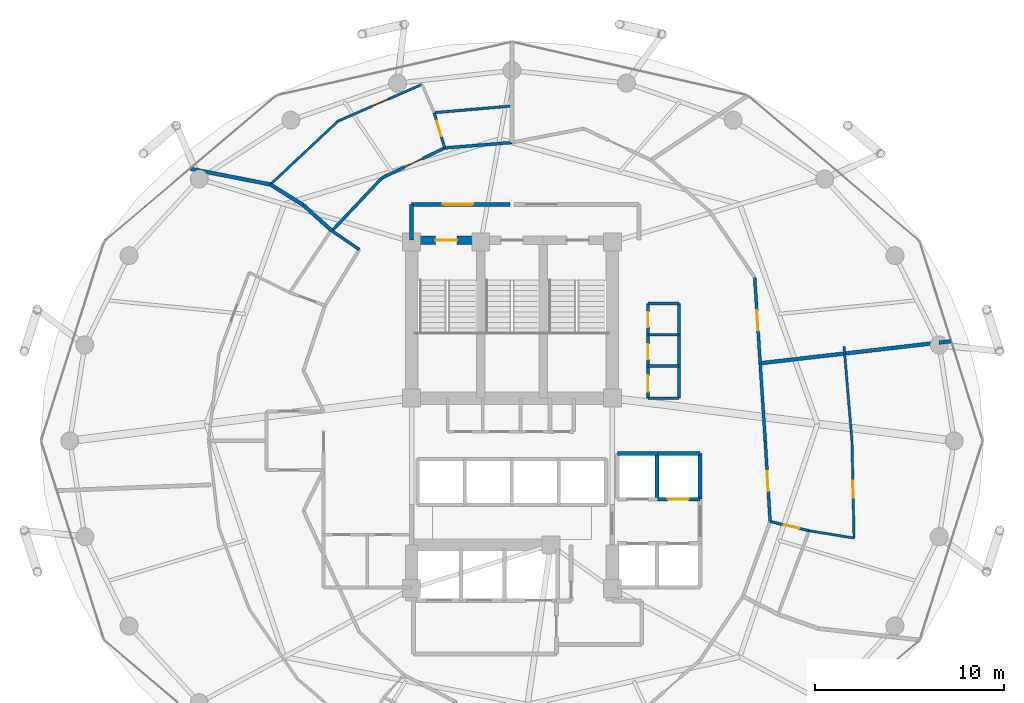
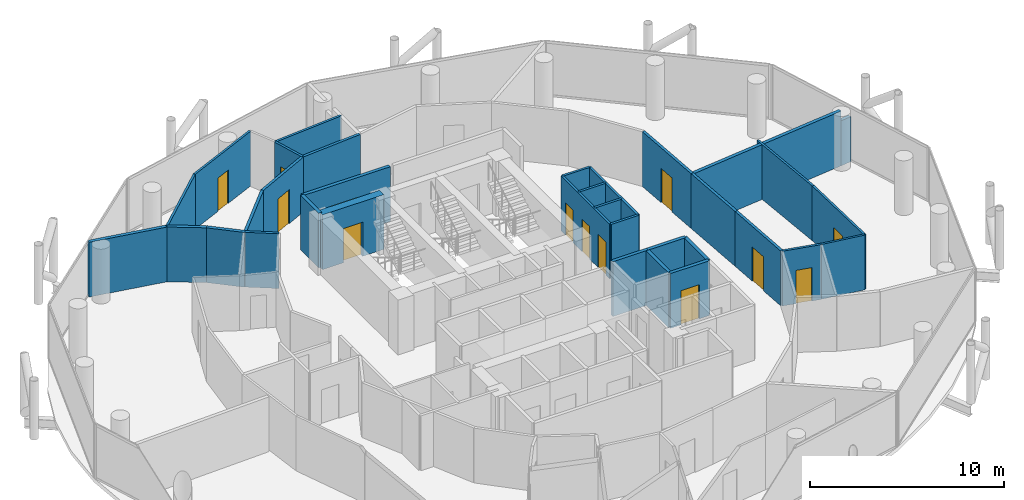
# One storey, part 24 of 26: 34 walls, 13 doors, 13 openings.
"""IFC4 building model written with IfcOpenShell, lengths in metres."""

from ifc_helpers import new_model, si_unit, direction, frame, frame_2d, origin, place, context, subcontext, project, spatial, rectangle, extrude, material, layer, layer_set, type_object, element, fill, save


model = new_model("IFC4")

# Units and contexts
model_context = context("Model", 3, precision=1e-05, world=origin(), true_north=direction((0.0, 1.0)))
body_context = subcontext(model_context, "Body", "Model", "MODEL_VIEW")
ifc_project = project(units=[si_unit("LENGTHUNIT", "METRE"), si_unit("AREAUNIT", "SQUARE_METRE"), si_unit("VOLUMEUNIT", "CUBIC_METRE"), si_unit("PLANEANGLEUNIT", "RADIAN"), si_unit("MASSUNIT", "GRAM", prefix="KILO")], contexts=[model_context])

# Site, building, storey
site_placement = place(None, origin())
site = spatial("IfcSite", under=ifc_project, at=site_placement, CompositionType="ELEMENT")
building_placement = place(site_placement, origin())
building = spatial("IfcBuilding", under=site, at=building_placement, Name="Nuhasar Tower", CompositionType="ELEMENT")
storey_placement = place(building_placement, frame((0.0, 0.0, 129.35009765625)))
storey = spatial("IfcBuildingStorey", under=building, at=storey_placement, Name="L30", CompositionType="ELEMENT", Elevation=129.35009765625)

# Wall, opening, door
ifc_material_1 = material(Name="Concrete C50/60", Category="concrete")
ifc_layer_1 = layer(ifc_material_1, 0.449951171875)
ifc_layer_set_1 = layer_set([ifc_layer_1], Name="Concrete C50/60")
wall_type_1 = type_object("IfcWallType", Name="WL-CORE-450", PredefinedType="SHEAR", material=ifc_layer_set_1)
wall_1_placement = place(storey_placement, frame((37.35009765625, 37.39990234375, 0.0), z_axis=(0.0, 0.0, 1.0), x_axis=(-1.0, 0.0, 0.0)))
wall_1 = element("IfcWall", 1, at=wall_1_placement, inside=storey, type_object=wall_type_1, Name="L30 Stairwell Shear Wall ST01-N", PredefinedType="SHEAR", context=body_context, shape_type="SweptSolid", body=[
    extrude(rectangle(XDim=3.650146484375, YDim=0.449951171875, at=frame_2d((1.8251953125, 0.0))), origin(), (0.0, 0.0, 1.0), 3.449951171875),
])
opening_1_placement = place(wall_1_placement, frame((1.25, 0.0, 0.0)))
opening_1 = element("IfcOpeningElement", 2, at=opening_1_placement, cuts=wall_1, Name="Opening DS-01", PredefinedType="OPENING", context=body_context, shape_type="SweptSolid", body=[
    extrude(rectangle(XDim=1.14990234375, YDim=2.14990234375, at=frame_2d((0.574951171875, 1.074951171875))), frame((0.0, 0.23486328125, 0.0), z_axis=(0.0, -1.0, 0.0), x_axis=(1.0, 0.0, 0.0)), (0.0, 0.0, 1.0), 0.469970703125),
])
ifc_material_2 = material(Name="Steel S355", Category="steel")
door_type_1 = type_object("IfcDoorType", Name="DR-STAIR-FD120-1150", OperationType="NOTDEFINED", PredefinedType="DOOR", material=ifc_material_2)
door_1_placement = place(opening_1_placement, origin())
door_1 = element("IfcDoor", 3, at=door_1_placement, inside=storey, type_object=door_type_1, Name="L30 Exit Stair ST-01 Door", OperationType="SINGLE_SWING_RIGHT", OverallHeight=2.14990234375, OverallWidth=1.14990234375, PredefinedType="DOOR", context=body_context, shape_type="SweptSolid", body=[
    extrude(rectangle(XDim=1.14990234375, YDim=2.14990234375, at=frame_2d((0.574951171875, 1.074951171875))), frame((0.0, 0.02490234375, 0.0), z_axis=(0.0, -1.0, 0.0), x_axis=(1.0, 0.0, 0.0)), (0.0, 0.0, 1.0), 0.050048828125),
])
fill(opening_1, door_1)

ifc_material_3 = material(Name="Gypsum Board", Category="gypsum")
ifc_layer_2 = layer(ifc_material_3, 0.159912109375)
ifc_layer_set_2 = layer_set([ifc_layer_2], Name="Gypsum Board")
wall_type_2 = type_object("IfcWallType", Name="WL-CORR-160", PredefinedType="PARTITIONING", material=ifc_layer_set_2)
wall_2_placement = place(storey_placement, frame((52.3701171875, 26.800048828125, 0.0), z_axis=(0.0, 0.0, 1.0), x_axis=(0.060208216468, -0.998185839746, 0.0)))
wall_2 = element("IfcWall", 4, at=wall_2_placement, inside=storey, type_object=wall_type_2, Name="L30 Interior Partition CORR-46", PredefinedType="PARTITIONING", context=body_context, shape_type="SweptSolid", body=[
    extrude(rectangle(XDim=4.265869140625, YDim=0.159912109375, at=frame_2d((2.1328125, 0.0))), origin(), (0.0, 0.0, 1.0), 3.449951171875),
])
opening_2_placement = place(wall_2_placement, frame((1.60791015625, 0.0, 0.0)))
opening_2 = element("IfcOpeningElement", 5, at=opening_2_placement, cuts=wall_2, Name="Opening DU-01", PredefinedType="OPENING", context=body_context, shape_type="SweptSolid", body=[
    extrude(rectangle(XDim=1.050048828125, YDim=2.14990234375, at=frame_2d((0.52490234375, 1.074951171875))), frame((0.0, 0.08984375, 0.0), z_axis=(0.0, -1.0, 0.0), x_axis=(1.0, 0.0, 0.0)), (0.0, 0.0, 1.0), 0.179931640625),
])
ifc_material_4 = material(Name="Timber Oak", Category="wood")
door_type_2 = type_object("IfcDoorType", Name="DR-SUITE-FD60-1050", OperationType="NOTDEFINED", PredefinedType="DOOR", material=ifc_material_4)
door_2_placement = place(opening_2_placement, origin())
door_2 = element("IfcDoor", 6, at=door_2_placement, inside=storey, type_object=door_type_2, Name="L30 Panorama Suite 02 Entrance Door", OperationType="SINGLE_SWING_RIGHT", OverallHeight=2.14990234375, OverallWidth=1.050048828125, PredefinedType="DOOR", context=body_context, shape_type="SweptSolid", body=[
    extrude(rectangle(XDim=1.050048828125, YDim=2.14990234375, at=frame_2d((0.52490234375, 1.074951171875))), frame((0.0, 0.02490234375, 0.0), z_axis=(0.0, -1.0, 0.0), x_axis=(1.0, 0.0, 0.0)), (0.0, 0.0, 1.0), 0.050048828125),
])
fill(opening_2, door_2)

# Wall
wall_3_placement = place(storey_placement, frame((52.3701171875, 26.800048828125, 0.0), z_axis=(0.0, 0.0, 1.0), x_axis=(-0.065101036033, 0.997878677549, 0.0)))
element("IfcWall", 7, at=wall_3_placement, inside=storey, type_object=wall_type_2, Name="L30 Interior Partition CORR-00", PredefinedType="PARTITIONING", context=body_context, shape_type="SweptSolid", body=[
    extrude(rectangle(XDim=4.102783203125, YDim=0.159912109375, at=frame_2d((2.05126953125, 0.0))), origin(), (0.0, 0.0, 1.0), 3.449951171875),
])

# Wall, opening, door
wall_4_placement = place(storey_placement, frame((51.81396484375, 35.427001953125, 0.0), z_axis=(0.0, 0.0, 1.0), x_axis=(0.063639788552, -0.997972934159, 0.0)))
wall_4 = element("IfcWall", 8, at=wall_4_placement, inside=storey, type_object=wall_type_2, Name="L30 Interior Partition CORR-02", PredefinedType="PARTITIONING", context=body_context, shape_type="SweptSolid", body=[
    extrude(rectangle(XDim=4.542236328125, YDim=0.159912109375, at=frame_2d((2.27099609375, 0.0))), origin(), (0.0, 0.0, 1.0), 3.449951171875),
])
opening_3_placement = place(wall_4_placement, frame((1.74609375, 0.0, 0.0)))
opening_3 = element("IfcOpeningElement", 9, at=opening_3_placement, cuts=wall_4, Name="Opening DU-01", PredefinedType="OPENING", context=body_context, shape_type="SweptSolid", body=[
    extrude(rectangle(XDim=1.050048828125, YDim=2.14990234375, at=frame_2d((0.52490234375, 1.074951171875))), frame((0.0, 0.08984375, 0.0), z_axis=(0.0, -1.0, 0.0), x_axis=(1.0, 0.0, 0.0)), (0.0, 0.0, 1.0), 0.179931640625),
])
door_3_placement = place(opening_3_placement, origin())
door_3 = element("IfcDoor", 10, at=door_3_placement, inside=storey, type_object=door_type_2, Name="L30 Sommelier Tea Lounge Entrance Door", OperationType="SINGLE_SWING_RIGHT", OverallHeight=2.14990234375, OverallWidth=1.050048828125, PredefinedType="DOOR", context=body_context, shape_type="SweptSolid", body=[
    extrude(rectangle(XDim=1.050048828125, YDim=2.14990234375, at=frame_2d((0.52490234375, 1.074951171875))), frame((0.0, 0.02490234375, 0.0), z_axis=(0.0, -1.0, 0.0), x_axis=(1.0, 0.0, 0.0)), (0.0, 0.0, 1.0), 0.050048828125),
])
fill(opening_3, door_3)

# Wall
wall_5_placement = place(storey_placement, frame((39.0, 42.550048828125, 0.0), z_axis=(0.0, 0.0, 1.0), x_axis=(-0.996706794078, -0.081089867669, 0.0)))
element("IfcWall", 11, at=wall_5_placement, inside=storey, type_object=wall_type_2, Name="L30 Interior Partition CORR-12", PredefinedType="PARTITIONING", context=body_context, shape_type="SweptSolid", body=[
    extrude(rectangle(XDim=3.564697265625, YDim=0.159912109375, at=frame_2d((1.7822265625, 0.0))), origin(), (0.0, 0.0, 1.0), 3.449951171875),
])

# Wall, opening, door
wall_6_placement = place(storey_placement, frame((32.12890625, 40.677001953125, 0.0), z_axis=(0.0, 0.0, 1.0), x_axis=(0.902445250627, 0.430804560817, 0.0)))
wall_6 = element("IfcWall", 12, at=wall_6_placement, inside=storey, type_object=wall_type_2, Name="L30 Interior Partition CORR-14", PredefinedType="PARTITIONING", context=body_context, shape_type="SweptSolid", body=[
    extrude(rectangle(XDim=3.6767578125, YDim=0.159912109375, at=frame_2d((1.83837890625, 0.0))), origin(), (0.0, 0.0, 1.0), 3.449951171875),
])
opening_4_placement = place(wall_6_placement, frame((1.31298828125, 0.0, 0.0)))
opening_4 = element("IfcOpeningElement", 13, at=opening_4_placement, cuts=wall_6, Name="Opening DU-01", PredefinedType="OPENING", context=body_context, shape_type="SweptSolid", body=[
    extrude(rectangle(XDim=1.050048828125, YDim=2.14990234375, at=frame_2d((0.52490234375, 1.074951171875))), frame((0.0, 0.08984375, 0.0), z_axis=(0.0, -1.0, 0.0), x_axis=(1.0, 0.0, 0.0)), (0.0, 0.0, 1.0), 0.179931640625),
])
door_4_placement = place(opening_4_placement, origin())
door_4 = element("IfcDoor", 14, at=door_4_placement, inside=storey, type_object=door_type_2, Name="L30 Corniche Suite 03 Entrance Door", OperationType="SINGLE_SWING_RIGHT", OverallHeight=2.14990234375, OverallWidth=1.050048828125, PredefinedType="DOOR", context=body_context, shape_type="SweptSolid", body=[
    extrude(rectangle(XDim=1.050048828125, YDim=2.14990234375, at=frame_2d((0.52490234375, 1.074951171875))), frame((0.0, 0.02490234375, 0.0), z_axis=(0.0, -1.0, 0.0), x_axis=(1.0, 0.0, 0.0)), (0.0, 0.0, 1.0), 0.050048828125),
])
fill(opening_4, door_4)

# Walls
wall_7_placement = place(storey_placement, frame((32.12890625, 40.677001953125, 0.0), z_axis=(0.0, 0.0, 1.0), x_axis=(-0.68619756668, -0.727415218072, 0.0)))
element("IfcWall", 15, at=wall_7_placement, inside=storey, type_object=wall_type_2, Name="L30 Interior Partition CORR-16", PredefinedType="PARTITIONING", context=body_context, shape_type="SweptSolid", body=[
    extrude(rectangle(XDim=3.838134765625, YDim=0.159912109375, at=frame_2d((1.9189453125, 0.0))), origin(), (0.0, 0.0, 1.0), 3.449951171875),
])
wall_8_placement = place(storey_placement, frame((30.93896484375, 36.89697265625, 0.0), z_axis=(0.0, 0.0, 1.0), x_axis=(-0.825269608573, 0.564738942491, 0.0)))
element("IfcWall", 16, at=wall_8_placement, inside=storey, type_object=wall_type_2, Name="L30 Interior Partition HRAD-18-IN", PredefinedType="PARTITIONING", context=body_context, shape_type="SweptSolid", body=[
    extrude(rectangle(XDim=1.74951171875, YDim=0.159912109375, at=frame_2d((0.874755859375, 0.0))), origin(), (0.0, 0.0, 1.0), 3.449951171875),
])
ifc_material_5 = material(Name="Concrete C45/55", Category="concrete")
ifc_layer_3 = layer(ifc_material_5, 0.199951171875)
ifc_layer_set_3 = layer_set([ifc_layer_3], Name="Concrete C45/55")
wall_type_3 = type_object("IfcWallType", Name="WL-LOBBY-200", PredefinedType="SOLIDWALL", material=ifc_layer_set_3)
wall_9_placement = place(storey_placement, frame((33.699951171875, 37.39990234375, 0.0), z_axis=(0.0, 0.0, 1.0), x_axis=(0.0, 1.0, 0.0)))
element("IfcWall", 17, at=wall_9_placement, inside=storey, type_object=wall_type_3, Name="L30 Interior Partition NSL-W", PredefinedType="SOLIDWALL", context=body_context, shape_type="SweptSolid", body=[
    extrude(rectangle(XDim=1.880126953125, YDim=0.199951171875, at=frame_2d((0.93994140625, 0.0))), origin(), (0.0, 0.0, 1.0), 3.449951171875),
])

# Wall, opening, door
wall_10_placement = place(storey_placement, frame((38.89990234375, 39.280029296875, 0.0), z_axis=(0.0, 0.0, 1.0), x_axis=(-1.0, 0.0, 0.0)))
wall_10 = element("IfcWall", 18, at=wall_10_placement, inside=storey, type_object=wall_type_3, Name="L30 Interior Partition NSL-N1", PredefinedType="SOLIDWALL", context=body_context, shape_type="SweptSolid", body=[
    extrude(rectangle(XDim=5.199951171875, YDim=0.199951171875, at=frame_2d((2.60009765625, 0.0))), origin(), (0.0, 0.0, 1.0), 3.449951171875),
])
opening_5_placement = place(wall_10_placement, frame((1.949951171875, 0.0, 0.0)))
opening_5 = element("IfcOpeningElement", 19, at=opening_5_placement, cuts=wall_10, Name="Opening DC-01", PredefinedType="OPENING", context=body_context, shape_type="SweptSolid", body=[
    extrude(rectangle(XDim=1.60009765625, YDim=2.199951171875, at=frame_2d((0.800048828125, 1.10009765625))), frame((0.0, 0.10986328125, 0.0), z_axis=(0.0, -1.0, 0.0), x_axis=(1.0, 0.0, 0.0)), (0.0, 0.0, 1.0), 0.219970703125),
])
door_type_3 = type_object("IfcDoorType", Name="DR-CORR-FD60-1600", OperationType="DOUBLE_DOOR_SINGLE_SWING", PredefinedType="DOOR", material=ifc_material_2)
door_5_placement = place(opening_5_placement, origin())
door_5 = element("IfcDoor", 20, at=door_5_placement, inside=storey, type_object=door_type_3, Name="L30 North Stair Lobby West Door", OperationType="DOUBLE_DOOR_SINGLE_SWING", OverallHeight=2.199951171875, OverallWidth=1.60009765625, PredefinedType="DOOR", context=body_context, shape_type="SweptSolid", body=[
    extrude(rectangle(XDim=1.60009765625, YDim=2.199951171875, at=frame_2d((0.800048828125, 1.10009765625))), frame((0.0, 0.02490234375, 0.0), z_axis=(0.0, -1.0, 0.0), x_axis=(1.0, 0.0, 0.0)), (0.0, 0.0, 1.0), 0.050048828125),
])
fill(opening_5, door_5)

# Wall
ifc_layer_4 = layer(ifc_material_3, 0.125)
ifc_layer_set_4 = layer_set([ifc_layer_4], Name="Gypsum Board")
wall_type_4 = type_object("IfcWallType", Name="WL-PART-125", PredefinedType="PARTITIONING", material=ifc_layer_set_4)
wall_11_placement = place(storey_placement, frame((54.68701171875, 22.051025390625, 0.0), z_axis=(0.0, 0.0, 1.0), x_axis=(0.987082473446, -0.160212953955, 0.0)))
element("IfcWall", 21, at=wall_11_placement, inside=storey, type_object=wall_type_4, Name="L30 Interior Partition HBS-03", PredefinedType="PARTITIONING", context=body_context, shape_type="SweptSolid", body=[
    extrude(rectangle(XDim=2.403076171875, YDim=0.125, at=frame_2d((1.20166015625, 0.0))), origin(), (0.0, 0.0, 1.0), 3.449951171875),
])

# Wall, opening, door
wall_12_placement = place(storey_placement, frame((56.949951171875, 26.800048828125, 0.0), z_axis=(0.0, 0.0, 1.0), x_axis=(0.02125155973, -0.999774160103, 0.0)))
wall_12 = element("IfcWall", 22, at=wall_12_placement, inside=storey, type_object=wall_type_4, Name="L30 Interior Partition HSAL-03-46", PredefinedType="PARTITIONING", context=body_context, shape_type="SweptSolid", body=[
    extrude(rectangle(XDim=5.13525390625, YDim=0.125, at=frame_2d((2.567626953125, 0.0))), origin(), (0.0, 0.0, 1.0), 3.449951171875),
])
opening_6_placement = place(wall_12_placement, frame((2.117919921875, 0.0, 0.0)))
opening_6 = element("IfcOpeningElement", 23, at=opening_6_placement, cuts=wall_12, Name="Opening DR-01", PredefinedType="OPENING", context=body_context, shape_type="SweptSolid", body=[
    extrude(rectangle(XDim=0.89990234375, YDim=2.10009765625, at=frame_2d((0.449951171875, 1.050048828125))), frame((0.0, 0.072509765625, 0.0), z_axis=(0.0, -1.0, 0.0), x_axis=(1.0, 0.0, 0.0)), (0.0, 0.0, 1.0), 0.14501953125),
])
door_type_4 = type_object("IfcDoorType", Name="DR-ROOM-900", OperationType="NOTDEFINED", PredefinedType="DOOR", material=ifc_material_4)
door_6_placement = place(opening_6_placement, origin())
door_6 = element("IfcDoor", 24, at=door_6_placement, inside=storey, type_object=door_type_4, Name="L30 Panorama Suite 02 Bedroom Door", OperationType="SINGLE_SWING_RIGHT", OverallHeight=2.10009765625, OverallWidth=0.89990234375, PredefinedType="DOOR", context=body_context, shape_type="SweptSolid", body=[
    extrude(rectangle(XDim=0.89990234375, YDim=2.10009765625, at=frame_2d((0.449951171875, 1.050048828125))), frame((0.0, 0.02490234375, 0.0), z_axis=(0.0, -1.0, 0.0), x_axis=(1.0, 0.0, 0.0)), (0.0, 0.0, 1.0), 0.050048828125),
])
fill(opening_6, door_6)

# Wall
wall_13_placement = place(storey_placement, frame((56.949951171875, 26.800048828125, 0.0), z_axis=(0.0, 0.0, 1.0), x_axis=(-0.083958417044, 0.996469259038, 0.0)))
element("IfcWall", 25, at=wall_13_placement, inside=storey, type_object=wall_type_4, Name="L30 Interior Partition HSAL-03-00", PredefinedType="PARTITIONING", context=body_context, shape_type="SweptSolid", body=[
    extrude(rectangle(XDim=5.00146484375, YDim=0.125, at=frame_2d((2.500732421875, 0.0))), origin(), (0.0, 0.0, 1.0), 3.449951171875),
])

# Wall, opening, door
wall_14_placement = place(storey_placement, frame((29.81494140625, 43.678955078125, 0.0), z_axis=(0.0, 0.0, 1.0), x_axis=(0.916122593443, 0.400898233699, 0.0)))
wall_14 = element("IfcWall", 26, at=wall_14_placement, inside=storey, type_object=wall_type_4, Name="L30 Interior Partition HSAL-06-14", PredefinedType="PARTITIONING", context=body_context, shape_type="SweptSolid", body=[
    extrude(rectangle(XDim=4.8388671875, YDim=0.125, at=frame_2d((2.41943359375, 0.0))), origin(), (0.0, 0.0, 1.0), 3.449951171875),
])
opening_7_placement = place(wall_14_placement, frame((1.968994140625, 0.0, 0.0)))
opening_7 = element("IfcOpeningElement", 27, at=opening_7_placement, cuts=wall_14, Name="Opening DR-01", PredefinedType="OPENING", context=body_context, shape_type="SweptSolid", body=[
    extrude(rectangle(XDim=0.89990234375, YDim=2.10009765625, at=frame_2d((0.449951171875, 1.050048828125))), frame((0.0, 0.072509765625, 0.0), z_axis=(0.0, -1.0, 0.0), x_axis=(1.0, 0.0, 0.0)), (0.0, 0.0, 1.0), 0.14501953125),
])
door_7_placement = place(opening_7_placement, origin())
door_7 = element("IfcDoor", 28, at=door_7_placement, inside=storey, type_object=door_type_4, Name="L30 Corniche Suite 03 Bedroom Door", OperationType="SINGLE_SWING_RIGHT", OverallHeight=2.10009765625, OverallWidth=0.89990234375, PredefinedType="DOOR", context=body_context, shape_type="SweptSolid", body=[
    extrude(rectangle(XDim=0.89990234375, YDim=2.10009765625, at=frame_2d((0.449951171875, 1.050048828125))), frame((0.0, 0.02490234375, 0.0), z_axis=(0.0, -1.0, 0.0), x_axis=(1.0, 0.0, 0.0)), (0.0, 0.0, 1.0), 0.050048828125),
])
fill(opening_7, door_7)

# Walls
wall_15_placement = place(storey_placement, frame((29.81494140625, 43.678955078125, 0.0), z_axis=(0.0, 0.0, 1.0), x_axis=(-0.729831223249, -0.683627373333, 0.0)))
element("IfcWall", 29, at=wall_15_placement, inside=storey, type_object=wall_type_4, Name="L30 Interior Partition HSAL-06-16", PredefinedType="PARTITIONING", context=body_context, shape_type="SweptSolid", body=[
    extrude(rectangle(XDim=4.89306640625, YDim=0.125, at=frame_2d((2.446533203125, 0.0))), origin(), (0.0, 0.0, 1.0), 3.449951171875),
])
ifc_layer_5 = layer(ifc_material_5, 0.199951171875)
ifc_layer_set_5 = layer_set([ifc_layer_5], Name="Concrete C45/55")
wall_type_5 = type_object("IfcWallType", Name="WL-SHAFT-200", PredefinedType="SOLIDWALL", material=ifc_layer_set_5)
wall_16_placement = place(storey_placement, frame((44.570068359375, 26.1298828125, 0.0), z_axis=(0.0, 0.0, 1.0), x_axis=(1.0, 0.0, 0.0)))
element("IfcWall", 30, at=wall_16_placement, inside=storey, type_object=wall_type_5, Name="L30 Interior Partition SHF-PL-M01-N", PredefinedType="SOLIDWALL", context=body_context, shape_type="SweptSolid", body=[
    extrude(rectangle(XDim=2.10986328125, YDim=0.199951171875, at=frame_2d((1.054931640625, 0.0))), origin(), (0.0, 0.0, 1.0), 3.449951171875),
])
wall_17_placement = place(storey_placement, frame((46.64990234375, 23.719970703125, 0.0), z_axis=(0.0, 0.0, 1.0), x_axis=(0.0, 1.0, 0.0)))
element("IfcWall", 31, at=wall_17_placement, inside=storey, type_object=wall_type_5, Name="L30 Interior Partition SHF-PL-M01-E", PredefinedType="SOLIDWALL", context=body_context, shape_type="SweptSolid", body=[
    extrude(rectangle(XDim=2.409912109375, YDim=0.199951171875, at=frame_2d((1.205078125, 0.0))), origin(), (0.0, 0.0, 1.0), 3.449951171875),
])

# Wall, opening, door
wall_18_placement = place(storey_placement, frame((46.6201171875, 23.719970703125, 0.0), z_axis=(0.0, 0.0, 1.0), x_axis=(1.0, 0.0, 0.0)))
wall_18 = element("IfcWall", 32, at=wall_18_placement, inside=storey, type_object=wall_type_5, Name="L30 Interior Partition SHF-PL-M02-S", PredefinedType="SOLIDWALL", context=body_context, shape_type="SweptSolid", body=[
    extrude(rectangle(XDim=2.309814453125, YDim=0.199951171875, at=frame_2d((1.15478515625, 0.0))), origin(), (0.0, 0.0, 1.0), 3.449951171875),
])
opening_8_placement = place(wall_18_placement, frame((0.60498046875, 0.0, 0.0)))
opening_8 = element("IfcOpeningElement", 33, at=opening_8_placement, cuts=wall_18, Name="Opening LD-M02", PredefinedType="OPENING", context=body_context, shape_type="SweptSolid", body=[
    extrude(rectangle(XDim=1.10009765625, YDim=2.14990234375, at=frame_2d((0.550048828125, 1.074951171875))), frame((0.0, 0.10986328125, 0.0), z_axis=(0.0, -1.0, 0.0), x_axis=(1.0, 0.0, 0.0)), (0.0, 0.0, 1.0), 0.219970703125),
])
ifc_material_6 = material(Name="Stainless Steel 316L", Category="steel")
door_type_5 = type_object("IfcDoorType", Name="LD-PAX-1100", OperationType="DOUBLE_DOOR_SLIDING", PredefinedType="DOOR", material=ifc_material_6)
door_8_placement = place(opening_8_placement, origin())
door_8 = element("IfcDoor", 34, at=door_8_placement, inside=storey, type_object=door_type_5, Name="L30 Lift Landing Door PL-M02", OperationType="DOUBLE_DOOR_SLIDING", OverallHeight=2.14990234375, OverallWidth=1.10009765625, PredefinedType="DOOR", context=body_context, shape_type="SweptSolid", body=[
    extrude(rectangle(XDim=1.10009765625, YDim=2.14990234375, at=frame_2d((0.550048828125, 1.074951171875))), frame((0.0, 0.02490234375, 0.0), z_axis=(0.0, -1.0, 0.0), x_axis=(1.0, 0.0, 0.0)), (0.0, 0.0, 1.0), 0.050048828125),
])
fill(opening_8, door_8)

# Walls
wall_19_placement = place(storey_placement, frame((46.6201171875, 26.1298828125, 0.0), z_axis=(0.0, 0.0, 1.0), x_axis=(1.0, 0.0, 0.0)))
element("IfcWall", 35, at=wall_19_placement, inside=storey, type_object=wall_type_5, Name="L30 Interior Partition SHF-PL-M02-N", PredefinedType="SOLIDWALL", context=body_context, shape_type="SweptSolid", body=[
    extrude(rectangle(XDim=2.309814453125, YDim=0.199951171875, at=frame_2d((1.15478515625, 0.0))), origin(), (0.0, 0.0, 1.0), 3.449951171875),
])
wall_20_placement = place(storey_placement, frame((48.929931640625, 23.719970703125, 0.0), z_axis=(0.0, 0.0, 1.0), x_axis=(0.0, 1.0, 0.0)))
element("IfcWall", 36, at=wall_20_placement, inside=storey, type_object=wall_type_5, Name="L30 Interior Partition SHF-PL-M02-E", PredefinedType="SOLIDWALL", context=body_context, shape_type="SweptSolid", body=[
    extrude(rectangle(XDim=2.409912109375, YDim=0.199951171875, at=frame_2d((1.205078125, 0.0))), origin(), (0.0, 0.0, 1.0), 3.449951171875),
])
ifc_material_7 = material(Name="Concrete C40/50 precast", Category="concrete")
ifc_layer_6 = layer(ifc_material_7, 0.199951171875)
ifc_layer_set_6 = layer_set([ifc_layer_6], Name="Concrete C40/50 precast")
wall_type_6 = type_object("IfcWallType", Name="WL-UNIT-200", PredefinedType="PARTITIONING", material=ifc_layer_set_6)
wall_21_placement = place(storey_placement, frame((29.4951171875, 37.885009765625, 0.0), z_axis=(0.0, 0.0, 1.0), x_axis=(-0.743025279388, 0.669263351895, 0.0)))
element("IfcWall", 37, at=wall_21_placement, inside=storey, type_object=wall_type_6, Name="L30 Interior Partition HRAD-18-OUT-S1", PredefinedType="PARTITIONING", context=body_context, shape_type="SweptSolid", body=[
    extrude(rectangle(XDim=2.0322265625, YDim=0.199951171875, at=frame_2d((1.01611328125, 0.0))), origin(), (0.0, 0.0, 1.0), 3.449951171875),
])
wall_22_placement = place(storey_placement, frame((27.985107421875, 39.2451171875, 0.0), z_axis=(0.0, 0.0, 1.0), x_axis=(-0.847864702064, 0.530212643186, 0.0)))
element("IfcWall", 38, at=wall_22_placement, inside=storey, type_object=wall_type_6, Name="L30 Interior Partition HRAD-18-OUT-S2", PredefinedType="PARTITIONING", context=body_context, shape_type="SweptSolid", body=[
    extrude(rectangle(XDim=2.0537109375, YDim=0.199951171875, at=frame_2d((1.02685546875, 0.0))), origin(), (0.0, 0.0, 1.0), 3.449951171875),
])
wall_23_placement = place(storey_placement, frame((26.243896484375, 40.333984375, 0.0), z_axis=(0.0, 0.0, 1.0), x_axis=(-0.981207381692, 0.192956145571, 0.0)))
element("IfcWall", 39, at=wall_23_placement, inside=storey, type_object=wall_type_6, Name="L30 Interior Partition HRAD-18-OUT-S3", PredefinedType="PARTITIONING", context=body_context, shape_type="SweptSolid", body=[
    extrude(rectangle(XDim=4.2802734375, YDim=0.199951171875, at=frame_2d((2.14013671875, 0.0))), origin(), (0.0, 0.0, 1.0), 3.449951171875),
])
wall_24_placement = place(storey_placement, frame((52.10302734375, 30.89404296875, 0.0), z_axis=(0.0, 0.0, 1.0), x_axis=(0.993389572668, 0.114791798114, 0.0)))
element("IfcWall", 40, at=wall_24_placement, inside=storey, type_object=wall_type_6, Name="L30 Interior Partition HRAD-02", PredefinedType="PARTITIONING", context=body_context, shape_type="SweptSolid", body=[
    extrude(rectangle(XDim=9.504638671875, YDim=0.199951171875, at=frame_2d((4.75244140625, 0.0))), origin(), (0.0, 0.0, 1.0), 3.449951171875),
])
wall_25_placement = place(storey_placement, frame((61.544921875, 31.985107421875, 0.0), z_axis=(0.0, 0.0, 1.0), x_axis=(0.993484448957, 0.113967757198, 0.0)))
element("IfcWall", 41, at=wall_25_placement, inside=storey, type_object=wall_type_6, Name="L30 Interior Partition HRAD-02", PredefinedType="PARTITIONING", context=body_context, shape_type="SweptSolid", body=[
    extrude(rectangle(XDim=0.621337890625, YDim=0.199951171875, at=frame_2d((0.310546875, 0.0))), origin(), (0.0, 0.0, 1.0), 2.8349609375),
])

# Wall, openings, doors
ifc_layer_7 = layer(ifc_material_7, 0.139892578125)
ifc_layer_set_7 = layer_set([ifc_layer_7], Name="Concrete C40/50 precast")
wall_type_7 = type_object("IfcWallType", Name="WL-WET-140", PredefinedType="PARTITIONING", material=ifc_layer_set_7)
wall_26_placement = place(storey_placement, frame((46.179931640625, 34.050048828125, 0.0), z_axis=(0.0, 0.0, 1.0), x_axis=(0.0, -1.0, 0.0)))
wall_26 = element("IfcWall", 42, at=wall_26_placement, inside=storey, type_object=wall_type_7, Name="L30 Interior Partition K1-NE-W", PredefinedType="PARTITIONING", context=body_context, shape_type="SweptSolid", body=[
    extrude(rectangle(XDim=5.0, YDim=0.139892578125, at=frame_2d((2.5, 0.0))), origin(), (0.0, 0.0, 1.0), 3.449951171875),
])
opening_9_placement = place(wall_26_placement, frame((3.800048828125, 0.0, 0.0)))
opening_9 = element("IfcOpeningElement", 43, at=opening_9_placement, cuts=wall_26, Name="Opening DB-01", PredefinedType="OPENING", context=body_context, shape_type="SweptSolid", body=[
    extrude(rectangle(XDim=0.85009765625, YDim=2.10009765625, at=frame_2d((0.425048828125, 1.050048828125))), frame((0.0, 0.080078125, 0.0), z_axis=(0.0, -1.0, 0.0), x_axis=(1.0, 0.0, 0.0)), (0.0, 0.0, 1.0), 0.159912109375),
])
opening_10_placement = place(wall_26_placement, frame((2.14990234375, 0.0, 0.0)))
opening_10 = element("IfcOpeningElement", 44, at=opening_10_placement, cuts=wall_26, Name="Opening DM-01", PredefinedType="OPENING", context=body_context, shape_type="SweptSolid", body=[
    extrude(rectangle(XDim=0.800048828125, YDim=2.050048828125, at=frame_2d((0.39990234375, 1.02490234375))), frame((0.0, 0.080078125, 0.0), z_axis=(0.0, -1.0, 0.0), x_axis=(1.0, 0.0, 0.0)), (0.0, 0.0, 1.0), 0.159912109375),
])
opening_11_placement = place(wall_26_placement, frame((0.449951171875, 0.0, 0.0)))
opening_11 = element("IfcOpeningElement", 45, at=opening_11_placement, cuts=wall_26, Name="Opening DM-01", PredefinedType="OPENING", context=body_context, shape_type="SweptSolid", body=[
    extrude(rectangle(XDim=0.800048828125, YDim=2.050048828125, at=frame_2d((0.39990234375, 1.02490234375))), frame((0.0, 0.080078125, 0.0), z_axis=(0.0, -1.0, 0.0), x_axis=(1.0, 0.0, 0.0)), (0.0, 0.0, 1.0), 0.159912109375),
])
door_type_6 = type_object("IfcDoorType", Name="DR-BATH-850", OperationType="NOTDEFINED", PredefinedType="DOOR", material=ifc_material_4)
door_9_placement = place(opening_9_placement, origin())
door_9 = element("IfcDoor", 46, at=door_9_placement, inside=storey, type_object=door_type_6, Name="L30 NE Female WC Door", OperationType="SINGLE_SWING_RIGHT", OverallHeight=2.10009765625, OverallWidth=0.85009765625, PredefinedType="DOOR", context=body_context, shape_type="SweptSolid", body=[
    extrude(rectangle(XDim=0.85009765625, YDim=2.10009765625, at=frame_2d((0.425048828125, 1.050048828125))), frame((0.0, 0.02490234375, 0.0), z_axis=(0.0, -1.0, 0.0), x_axis=(1.0, 0.0, 0.0)), (0.0, 0.0, 1.0), 0.050048828125),
])
fill(opening_9, door_9)
door_type_7 = type_object("IfcDoorType", Name="DR-RISER-FD60-800", OperationType="NOTDEFINED", PredefinedType="DOOR", material=ifc_material_2)
door_10_placement = place(opening_10_placement, origin())
door_10 = element("IfcDoor", 47, at=door_10_placement, inside=storey, type_object=door_type_7, Name="L30 NE Meter Door", OperationType="SINGLE_SWING_RIGHT", OverallHeight=2.050048828125, OverallWidth=0.800048828125, PredefinedType="DOOR", context=body_context, shape_type="SweptSolid", body=[
    extrude(rectangle(XDim=0.800048828125, YDim=2.050048828125, at=frame_2d((0.39990234375, 1.02490234375))), frame((0.0, 0.02490234375, 0.0), z_axis=(0.0, -1.0, 0.0), x_axis=(1.0, 0.0, 0.0)), (0.0, 0.0, 1.0), 0.050048828125),
])
fill(opening_10, door_10)
door_11_placement = place(opening_11_placement, origin())
door_11 = element("IfcDoor", 48, at=door_11_placement, inside=storey, type_object=door_type_7, Name="L30 NE Telecom Door", OperationType="SINGLE_SWING_LEFT", OverallHeight=2.050048828125, OverallWidth=0.800048828125, PredefinedType="DOOR", context=body_context, shape_type="SweptSolid", body=[
    extrude(rectangle(XDim=0.800048828125, YDim=2.050048828125, at=frame_2d((0.39990234375, 1.02490234375))), frame((0.0, 0.02490234375, 0.0), z_axis=(0.0, -1.0, 0.0), x_axis=(1.0, 0.0, 0.0)), (0.0, 0.0, 1.0), 0.050048828125),
])
fill(opening_11, door_11)

# Walls
for number, where, z_axis, x_axis, name in (
    (49, (46.179931640625, 29.050048828125, 0.0), (0.0, 0.0, 1.0), (1.0, 0.0, 0.0), "L30 Interior Partition K1-NE-S"),
    (50, (46.179931640625, 30.75, 0.0), (0.0, 0.0, 1.0), (1.0, 0.0, 0.0), "L30 Interior Partition K1-NE-M1"),
    (51, (46.179931640625, 32.39990234375, 0.0), (0.0, 0.0, 1.0), (1.0, 0.0, 0.0), "L30 Interior Partition K1-NE-M2"),
    (52, (46.179931640625, 34.050048828125, 0.0), (0.0, 0.0, 1.0), (1.0, 0.0, 0.0), "L30 Interior Partition K1-NE-N"),
):
    element("IfcWall", number, at=place(storey_placement, frame(where, z_axis=z_axis, x_axis=x_axis)), inside=storey, type_object=wall_type_7, Name=name, PredefinedType="PARTITIONING", context=body_context, shape_type="SweptSolid", body=[
        extrude(rectangle(XDim=1.64013671875, YDim=0.139892578125, at=frame_2d((0.820068359375, 0.0))), origin(), (0.0, 0.0, 1.0), 3.449951171875),
    ])
wall_27_placement = place(storey_placement, frame((47.820068359375, 29.050048828125, 0.0), z_axis=(0.0, 0.0, 1.0), x_axis=(0.0, 1.0, 0.0)))
element("IfcWall", 53, at=wall_27_placement, inside=storey, type_object=wall_type_7, Name="L30 Interior Partition K1-NE-E", PredefinedType="PARTITIONING", context=body_context, shape_type="SweptSolid", body=[
    extrude(rectangle(XDim=5.0, YDim=0.139892578125, at=frame_2d((2.5, 0.0))), origin(), (0.0, 0.0, 1.0), 3.449951171875),
])

# Wall, opening, door
wall_28_placement = place(storey_placement, frame((52.626953125, 22.5419921875, 0.0), z_axis=(0.0, 0.0, 1.0), x_axis=(0.972755476871, -0.231833522634, 0.0)))
wall_28 = element("IfcWall", 54, at=wall_28_placement, inside=storey, type_object=wall_type_7, Name="L30 Interior Partition HBW-03", PredefinedType="PARTITIONING", context=body_context, shape_type="SweptSolid", body=[
    extrude(rectangle(XDim=2.11767578125, YDim=0.139892578125, at=frame_2d((1.058837890625, 0.0))), origin(), (0.0, 0.0, 1.0), 3.449951171875),
])
opening_12_placement = place(wall_28_placement, frame((0.739990234375, 0.0, 0.0)))
opening_12 = element("IfcOpeningElement", 55, at=opening_12_placement, cuts=wall_28, Name="Opening DB-01", PredefinedType="OPENING", context=body_context, shape_type="SweptSolid", body=[
    extrude(rectangle(XDim=0.85009765625, YDim=2.10009765625, at=frame_2d((0.425048828125, 1.050048828125))), frame((0.0, 0.080078125, 0.0), z_axis=(0.0, -1.0, 0.0), x_axis=(1.0, 0.0, 0.0)), (0.0, 0.0, 1.0), 0.159912109375),
])
door_12_placement = place(opening_12_placement, origin())
door_12 = element("IfcDoor", 56, at=door_12_placement, inside=storey, type_object=door_type_6, Name="L30 Panorama Suite 02 En-Suite Door", OperationType="SINGLE_SWING_RIGHT", OverallHeight=2.10009765625, OverallWidth=0.85009765625, PredefinedType="DOOR", context=body_context, shape_type="SweptSolid", body=[
    extrude(rectangle(XDim=0.85009765625, YDim=2.10009765625, at=frame_2d((0.425048828125, 1.050048828125))), frame((0.0, 0.02490234375, 0.0), z_axis=(0.0, -1.0, 0.0), x_axis=(1.0, 0.0, 0.0)), (0.0, 0.0, 1.0), 0.050048828125),
])
fill(opening_12, door_12)

wall_29_placement = place(storey_placement, frame((35.447021484375, 42.260986328125, 0.0), z_axis=(0.0, 0.0, 1.0), x_axis=(-0.285930550579, 0.958250343201, 0.0)))
wall_29 = element("IfcWall", 57, at=wall_29_placement, inside=storey, type_object=wall_type_7, Name="L30 Interior Partition HBW-06", PredefinedType="PARTITIONING", context=body_context, shape_type="SweptSolid", body=[
    extrude(rectangle(XDim=1.944091796875, YDim=0.139892578125, at=frame_2d((0.97216796875, 0.0))), origin(), (0.0, 0.0, 1.0), 3.449951171875),
])
opening_13_placement = place(wall_29_placement, frame((0.64404296875, 0.0, 0.0)))
opening_13 = element("IfcOpeningElement", 58, at=opening_13_placement, cuts=wall_29, Name="Opening DB-01", PredefinedType="OPENING", context=body_context, shape_type="SweptSolid", body=[
    extrude(rectangle(XDim=0.85009765625, YDim=2.10009765625, at=frame_2d((0.425048828125, 1.050048828125))), frame((0.0, 0.080078125, 0.0), z_axis=(0.0, -1.0, 0.0), x_axis=(1.0, 0.0, 0.0)), (0.0, 0.0, 1.0), 0.159912109375),
])
door_13_placement = place(opening_13_placement, origin())
door_13 = element("IfcDoor", 59, at=door_13_placement, inside=storey, type_object=door_type_6, Name="L30 Corniche Suite 03 En-Suite Door", OperationType="SINGLE_SWING_RIGHT", OverallHeight=2.10009765625, OverallWidth=0.85009765625, PredefinedType="DOOR", context=body_context, shape_type="SweptSolid", body=[
    extrude(rectangle(XDim=0.85009765625, YDim=2.10009765625, at=frame_2d((0.425048828125, 1.050048828125))), frame((0.0, 0.02490234375, 0.0), z_axis=(0.0, -1.0, 0.0), x_axis=(1.0, 0.0, 0.0)), (0.0, 0.0, 1.0), 0.050048828125),
])
fill(opening_13, door_13)

# Wall
wall_30_placement = place(storey_placement, frame((39.0, 44.47998046875, 0.0), z_axis=(0.0, 0.0, 1.0), x_axis=(-0.996268523802, -0.086307754468, 0.0)))
element("IfcWall", 60, at=wall_30_placement, inside=storey, type_object=wall_type_7, Name="L30 Interior Partition HBF-06-12", PredefinedType="PARTITIONING", context=body_context, shape_type="SweptSolid", body=[
    extrude(rectangle(XDim=4.124267578125, YDim=0.139892578125, at=frame_2d((2.06201171875, 0.0))), origin(), (0.0, 0.0, 1.0), 3.449951171875),
])

save(model, "model.ifc")
